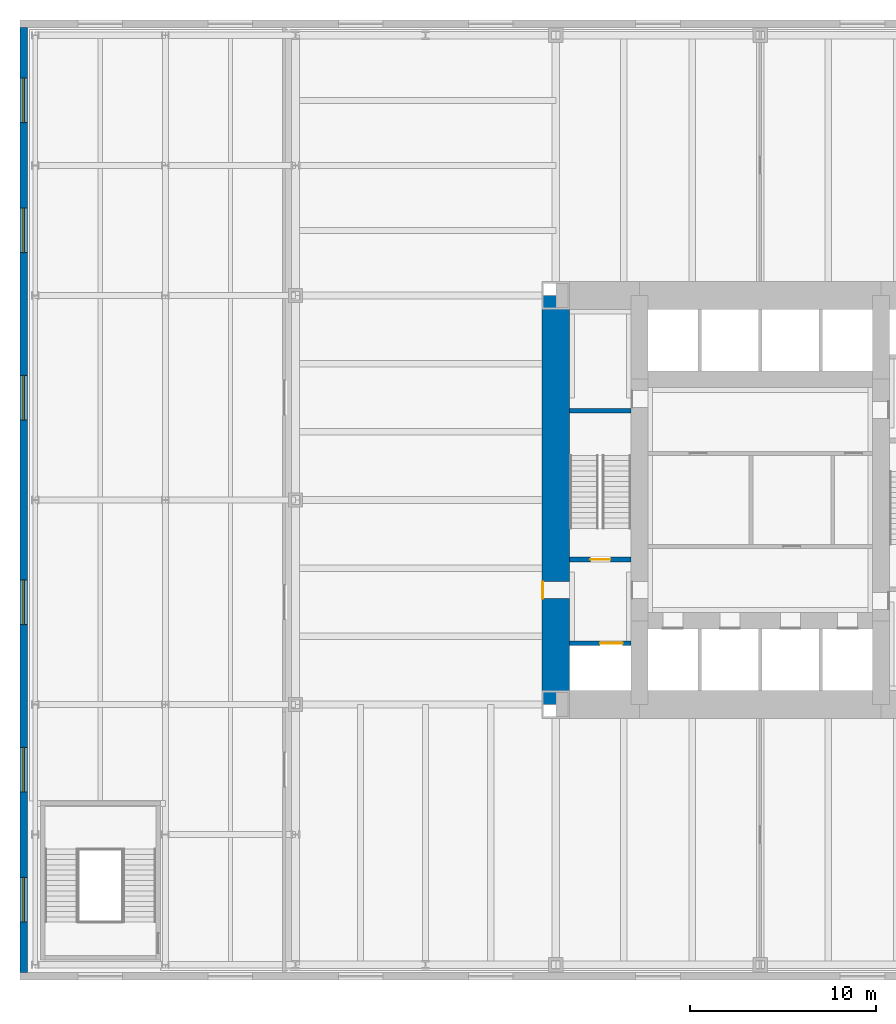
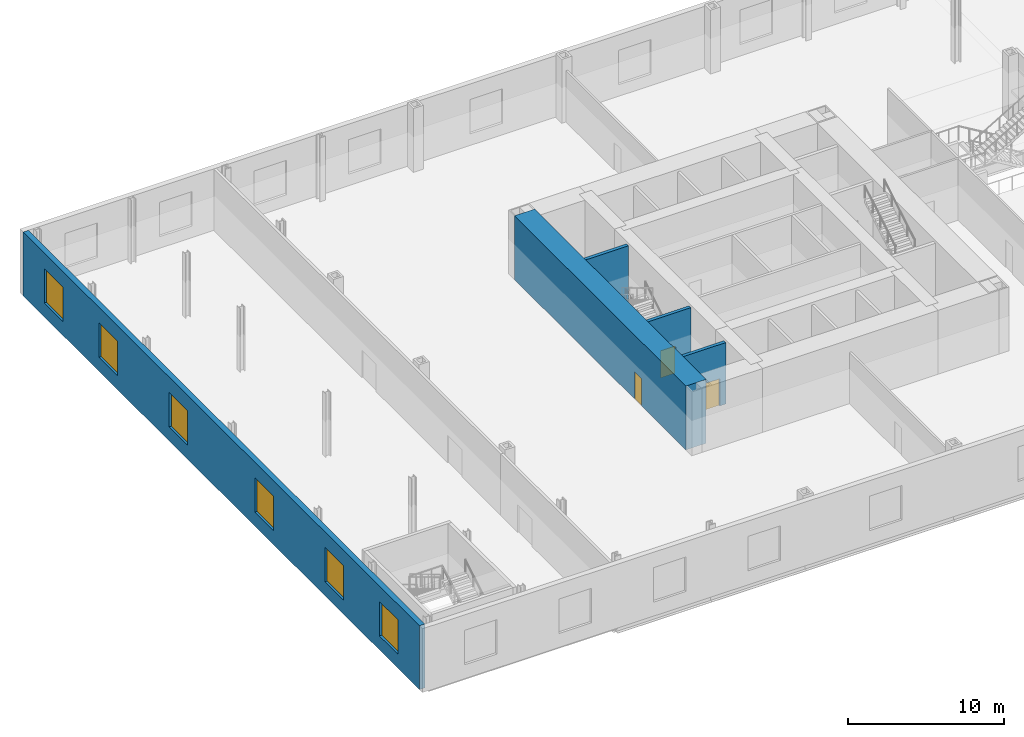
# One storey, part 7 of 13: 6 windows, 5 walls, 3 doors, 9 openings.
"""IFC4 building model written with IfcOpenShell, lengths in metres."""

from ifc_helpers import new_model, si_unit, direction, frame, frame_2d, origin, place, context, subcontext, project, spatial, rectangle, extrude, material, layer, layer_set, type_object, element, fill, save


model = new_model("IFC4")

# Units and contexts
model_context = context("Model", 3, precision=1e-05, world=origin(), true_north=direction((0.0, 1.0)))
body_context = subcontext(model_context, "Body", "Model", "MODEL_VIEW")
ifc_project = project(units=[si_unit("LENGTHUNIT", "METRE"), si_unit("AREAUNIT", "SQUARE_METRE"), si_unit("VOLUMEUNIT", "CUBIC_METRE"), si_unit("PLANEANGLEUNIT", "RADIAN"), si_unit("MASSUNIT", "GRAM", prefix="KILO")], contexts=[model_context])

# Site, building, storey
site_placement = place(None, origin())
site = spatial("IfcSite", under=ifc_project, at=site_placement, CompositionType="ELEMENT")
building_placement = place(site_placement, origin())
building = spatial("IfcBuilding", under=site, at=building_placement, Name="Trevanion Tower", CompositionType="ELEMENT")
storey_placement = place(building_placement, frame((0.0, 0.0, 6.0)))
storey = spatial("IfcBuildingStorey", under=building, at=storey_placement, Name="L01", CompositionType="ELEMENT", Elevation=6.0)

# Wall, opening, door
ifc_material_1 = material(Name="Concrete 10,000 psi", Category="concrete")
ifc_layer_1 = layer(ifc_material_1, 1.5)
ifc_layer_set_1 = layer_set([ifc_layer_1], Name="CW1 core wall 1500")
wall_type_1 = type_object("IfcWallType", Name="CW1 core wall 1500", PredefinedType="SHEAR", material=ifc_layer_set_1)
wall_1_placement = place(storey_placement, frame((-11.0, 11.0, 0.0), z_axis=(0.0, 0.0, 1.0), x_axis=(0.0, -1.0, 0.0)))
wall_1 = element("IfcWall", 1, at=wall_1_placement, inside=storey, type_object=wall_type_1, Name="CW1 CW L01", PredefinedType="SHEAR", context=body_context, shape_type="SweptSolid", body=[
    extrude(rectangle(XDim=22.0, YDim=1.5, at=frame_2d((11.0, 0.0))), origin(), (0.0, 0.0, 1.0), 5.0),
])
opening_1_placement = place(wall_1_placement, frame((15.392578125, 0.0, 0.0)))
opening_1 = element("IfcOpeningElement", 2, at=opening_1_placement, cuts=wall_1, Name="Opening 01-002", PredefinedType="OPENING", context=body_context, shape_type="SweptSolid", body=[
    extrude(rectangle(XDim=0.9150390625, YDim=2.134033203125, at=frame_2d((0.45751953125, 1.06689453125))), frame((0.0, 0.760009765625, 0.0), z_axis=(0.0, -1.0, 0.0), x_axis=(1.0, 0.0, 0.0)), (0.0, 0.0, 1.0), 1.52001953125),
])
ifc_material_2 = material(Name="Hollow metal, fire rated", Category="steel")
door_type_1 = type_object("IfcDoorType", Name="D3 fire lift lobby door", OperationType="SINGLE_SWING_RIGHT", PredefinedType="DOOR", material=ifc_material_2)
door_1_placement = place(opening_1_placement, origin())
door_1 = element("IfcDoor", 3, at=door_1_placement, inside=storey, type_object=door_type_1, Name="Door 01-002", OperationType="SINGLE_SWING_RIGHT", OverallHeight=2.134033203125, OverallWidth=0.9150390625, PredefinedType="DOOR", context=body_context, shape_type="SweptSolid", body=[
    extrude(rectangle(XDim=0.9150390625, YDim=2.134033203125, at=frame_2d((0.45751953125, 1.06689453125))), frame((0.0, -0.6748046875, 0.0), z_axis=(0.0, -1.0, 0.0), x_axis=(1.0, 0.0, 0.0)), (0.0, 0.0, 1.0), 0.050048828125),
])
fill(opening_1, door_1)

# Wall, openings, windows
ifc_material_3 = material(Name="Granite cladding on concrete masonry", Category="masonry")
ifc_layer_2 = layer(ifc_material_3, 0.39990234375)
ifc_layer_set_2 = layer_set([ifc_layer_2], Name="EW1 granite-faced wall 400")
wall_type_2 = type_object("IfcWallType", Name="EW1 granite-faced wall 400", PredefinedType="SOLIDWALL", material=ifc_layer_set_2)
wall_2_placement = place(storey_placement, frame((-39.6201171875, 25.419921875, -0.18994140625), z_axis=(0.0, 0.0, 1.0), x_axis=(0.0, -1.0, 0.0)))
wall_2 = element("IfcWall", 4, at=wall_2_placement, inside=storey, type_object=wall_type_2, Name="EW1 W L01", PredefinedType="SOLIDWALL", context=body_context, shape_type="SweptSolid", body=[
    extrude(rectangle(XDim=50.83984375, YDim=0.39990234375, at=frame_2d((25.419921875, 0.0))), origin(), (0.0, 0.0, 1.0), 5.0),
])
opening_2_placement = place(wall_2_placement, frame((45.719970703125, 0.0, 1.090087890625)))
opening_2 = element("IfcOpeningElement", 5, at=opening_2_placement, cuts=wall_2, Name="Opening WN2", PredefinedType="OPENING", context=body_context, shape_type="SweptSolid", body=[
    extrude(rectangle(XDim=2.39990234375, YDim=2.699951171875, at=frame_2d((1.199951171875, 1.35009765625))), frame((0.0, 0.2099609375, 0.0), z_axis=(0.0, -1.0, 0.0), x_axis=(1.0, 0.0, 0.0)), (0.0, 0.0, 1.0), 0.419921875),
])
opening_3_placement = place(wall_2_placement, frame((38.719970703125, 0.0, 1.090087890625)))
opening_3 = element("IfcOpeningElement", 6, at=opening_3_placement, cuts=wall_2, Name="Opening WN2", PredefinedType="OPENING", context=body_context, shape_type="SweptSolid", body=[
    extrude(rectangle(XDim=2.39990234375, YDim=2.699951171875, at=frame_2d((1.199951171875, 1.35009765625))), frame((0.0, 0.2099609375, 0.0), z_axis=(0.0, -1.0, 0.0), x_axis=(1.0, 0.0, 0.0)), (0.0, 0.0, 1.0), 0.419921875),
])
opening_4_placement = place(wall_2_placement, frame((29.719970703125, 0.0, 1.090087890625)))
opening_4 = element("IfcOpeningElement", 7, at=opening_4_placement, cuts=wall_2, Name="Opening WN2", PredefinedType="OPENING", context=body_context, shape_type="SweptSolid", body=[
    extrude(rectangle(XDim=2.39990234375, YDim=2.699951171875, at=frame_2d((1.199951171875, 1.35009765625))), frame((0.0, 0.2099609375, 0.0), z_axis=(0.0, -1.0, 0.0), x_axis=(1.0, 0.0, 0.0)), (0.0, 0.0, 1.0), 0.419921875),
])
opening_5_placement = place(wall_2_placement, frame((18.719970703125, 0.0, 1.090087890625)))
opening_5 = element("IfcOpeningElement", 8, at=opening_5_placement, cuts=wall_2, Name="Opening WN2", PredefinedType="OPENING", context=body_context, shape_type="SweptSolid", body=[
    extrude(rectangle(XDim=2.39990234375, YDim=2.699951171875, at=frame_2d((1.199951171875, 1.35009765625))), frame((0.0, 0.2099609375, 0.0), z_axis=(0.0, -1.0, 0.0), x_axis=(1.0, 0.0, 0.0)), (0.0, 0.0, 1.0), 0.419921875),
])
opening_6_placement = place(wall_2_placement, frame((9.719970703125, 0.0, 1.090087890625)))
opening_6 = element("IfcOpeningElement", 9, at=opening_6_placement, cuts=wall_2, Name="Opening WN2", PredefinedType="OPENING", context=body_context, shape_type="SweptSolid", body=[
    extrude(rectangle(XDim=2.39990234375, YDim=2.699951171875, at=frame_2d((1.199951171875, 1.35009765625))), frame((0.0, 0.2099609375, 0.0), z_axis=(0.0, -1.0, 0.0), x_axis=(1.0, 0.0, 0.0)), (0.0, 0.0, 1.0), 0.419921875),
])
opening_7_placement = place(wall_2_placement, frame((2.719970703125, 0.0, 1.090087890625)))
opening_7 = element("IfcOpeningElement", 10, at=opening_7_placement, cuts=wall_2, Name="Opening WN2", PredefinedType="OPENING", context=body_context, shape_type="SweptSolid", body=[
    extrude(rectangle(XDim=2.39990234375, YDim=2.699951171875, at=frame_2d((1.199951171875, 1.35009765625))), frame((0.0, 0.2099609375, 0.0), z_axis=(0.0, -1.0, 0.0), x_axis=(1.0, 0.0, 0.0)), (0.0, 0.0, 1.0), 0.419921875),
])
ifc_material_4 = material(Name="Bronze-finish aluminium frame, insulating glass", Category="aluminium")
window_type = type_object("IfcWindowType", Name="WN2 window 2400x2700", PartitioningType="SINGLE_PANEL", PredefinedType="WINDOW", material=ifc_material_4)
window_1_placement = place(opening_2_placement, origin())
window_1 = element("IfcWindow", 11, at=window_1_placement, inside=storey, type_object=window_type, Name="WN2 W L01", OverallHeight=2.699951171875, OverallWidth=2.39990234375, PartitioningType="SINGLE_PANEL", PredefinedType="WINDOW", context=body_context, shape_type="SweptSolid", body=[
    extrude(rectangle(XDim=2.39990234375, YDim=2.699951171875, at=frame_2d((1.199951171875, 1.35009765625))), frame((0.0, 0.030029296875, 0.0), z_axis=(0.0, -1.0, 0.0), x_axis=(1.0, 0.0, 0.0)), (0.0, 0.0, 1.0), 0.06005859375),
])
fill(opening_2, window_1)
window_2_placement = place(opening_3_placement, origin())
window_2 = element("IfcWindow", 12, at=window_2_placement, inside=storey, type_object=window_type, Name="WN2 W L01", OverallHeight=2.699951171875, OverallWidth=2.39990234375, PartitioningType="SINGLE_PANEL", PredefinedType="WINDOW", context=body_context, shape_type="SweptSolid", body=[
    extrude(rectangle(XDim=2.39990234375, YDim=2.699951171875, at=frame_2d((1.199951171875, 1.35009765625))), frame((0.0, 0.030029296875, 0.0), z_axis=(0.0, -1.0, 0.0), x_axis=(1.0, 0.0, 0.0)), (0.0, 0.0, 1.0), 0.06005859375),
])
fill(opening_3, window_2)
window_3_placement = place(opening_4_placement, origin())
window_3 = element("IfcWindow", 13, at=window_3_placement, inside=storey, type_object=window_type, Name="WN2 W L01", OverallHeight=2.699951171875, OverallWidth=2.39990234375, PartitioningType="SINGLE_PANEL", PredefinedType="WINDOW", context=body_context, shape_type="SweptSolid", body=[
    extrude(rectangle(XDim=2.39990234375, YDim=2.699951171875, at=frame_2d((1.199951171875, 1.35009765625))), frame((0.0, 0.030029296875, 0.0), z_axis=(0.0, -1.0, 0.0), x_axis=(1.0, 0.0, 0.0)), (0.0, 0.0, 1.0), 0.06005859375),
])
fill(opening_4, window_3)
window_4_placement = place(opening_5_placement, origin())
window_4 = element("IfcWindow", 14, at=window_4_placement, inside=storey, type_object=window_type, Name="WN2 W L01", OverallHeight=2.699951171875, OverallWidth=2.39990234375, PartitioningType="SINGLE_PANEL", PredefinedType="WINDOW", context=body_context, shape_type="SweptSolid", body=[
    extrude(rectangle(XDim=2.39990234375, YDim=2.699951171875, at=frame_2d((1.199951171875, 1.35009765625))), frame((0.0, 0.030029296875, 0.0), z_axis=(0.0, -1.0, 0.0), x_axis=(1.0, 0.0, 0.0)), (0.0, 0.0, 1.0), 0.06005859375),
])
fill(opening_5, window_4)
window_5_placement = place(opening_6_placement, origin())
window_5 = element("IfcWindow", 15, at=window_5_placement, inside=storey, type_object=window_type, Name="WN2 W L01", OverallHeight=2.699951171875, OverallWidth=2.39990234375, PartitioningType="SINGLE_PANEL", PredefinedType="WINDOW", context=body_context, shape_type="SweptSolid", body=[
    extrude(rectangle(XDim=2.39990234375, YDim=2.699951171875, at=frame_2d((1.199951171875, 1.35009765625))), frame((0.0, 0.030029296875, 0.0), z_axis=(0.0, -1.0, 0.0), x_axis=(1.0, 0.0, 0.0)), (0.0, 0.0, 1.0), 0.06005859375),
])
fill(opening_6, window_5)
window_6_placement = place(opening_7_placement, origin())
window_6 = element("IfcWindow", 16, at=window_6_placement, inside=storey, type_object=window_type, Name="WN2 W L01", OverallHeight=2.699951171875, OverallWidth=2.39990234375, PartitioningType="SINGLE_PANEL", PredefinedType="WINDOW", context=body_context, shape_type="SweptSolid", body=[
    extrude(rectangle(XDim=2.39990234375, YDim=2.699951171875, at=frame_2d((1.199951171875, 1.35009765625))), frame((0.0, 0.030029296875, 0.0), z_axis=(0.0, -1.0, 0.0), x_axis=(1.0, 0.0, 0.0)), (0.0, 0.0, 1.0), 0.06005859375),
])
fill(opening_7, window_6)

# Wall, opening, door
ifc_material_5 = material(Name="Concrete masonry, grouted, two-hour", Category="masonry")
ifc_layer_3 = layer(ifc_material_5, 0.25)
ifc_layer_set_3 = layer_set([ifc_layer_3], Name="PT3 partition 250 2 HR")
wall_type_3 = type_object("IfcWallType", Name="PT3 partition 250 2 HR", PredefinedType="PARTITIONING", material=ifc_layer_set_3)
wall_3_placement = place(storey_placement, frame((-6.949951171875, -7.699951171875, 0.0), z_axis=(0.0, 0.0, 1.0), x_axis=(-1.0, 0.0, 0.0)))
wall_3 = element("IfcWall", 17, at=wall_3_placement, inside=storey, type_object=wall_type_3, Name="PT3 L01 WP3", PredefinedType="PARTITIONING", context=body_context, shape_type="SweptSolid", body=[
    extrude(rectangle(XDim=3.300048828125, YDim=0.25, at=frame_2d((1.64990234375, 0.0))), origin(), (0.0, 0.0, 1.0), 4.81005859375),
])
opening_8_placement = place(wall_3_placement, frame((0.449951171875, 0.0, 0.0)))
opening_8 = element("IfcOpeningElement", 18, at=opening_8_placement, cuts=wall_3, Name="Opening 01-008", PredefinedType="OPENING", context=body_context, shape_type="SweptSolid", body=[
    extrude(rectangle(XDim=1.218994140625, YDim=2.134033203125, at=frame_2d((0.609375, 1.06689453125))), frame((0.0, 0.135009765625, 0.0), z_axis=(0.0, -1.0, 0.0), x_axis=(1.0, 0.0, 0.0)), (0.0, 0.0, 1.0), 0.27001953125),
])
ifc_material_6 = material(Name="Stainless steel, fire rated", Category="steel")
door_type_2 = type_object("IfcDoorType", Name="LD2 fire service lift landing door", OperationType="SLIDING_TO_LEFT", PredefinedType="DOOR", material=ifc_material_6)
door_2_placement = place(opening_8_placement, origin())
door_2 = element("IfcDoor", 19, at=door_2_placement, inside=storey, type_object=door_type_2, Name="Door 01-008", OperationType="SLIDING_TO_LEFT", OverallHeight=2.134033203125, OverallWidth=1.218994140625, PredefinedType="DOOR", context=body_context, shape_type="SweptSolid", body=[
    extrude(rectangle(XDim=1.218994140625, YDim=2.134033203125, at=frame_2d((0.609375, 1.06689453125))), frame((0.0, 0.02490234375, 0.0), z_axis=(0.0, -1.0, 0.0), x_axis=(1.0, 0.0, 0.0)), (0.0, 0.0, 1.0), 0.050048828125),
])
fill(opening_8, door_2)

# Wall
ifc_material_7 = material(Name="Reinforced masonry, fully grouted", Category="masonry")
ifc_layer_4 = layer(ifc_material_7, 0.25)
ifc_layer_set_4 = layer_set([ifc_layer_4], Name="SW1 stair shaft wall 250")
wall_type_4 = type_object("IfcWallType", Name="SW1 stair shaft wall 250", PredefinedType="SOLIDWALL", material=ifc_layer_set_4)
wall_4_placement = place(storey_placement, frame((-6.949951171875, 4.800048828125, 0.0), z_axis=(0.0, 0.0, 1.0), x_axis=(-1.0, 0.0, 0.0)))
element("IfcWall", 20, at=wall_4_placement, inside=storey, type_object=wall_type_4, Name="SW1 L01 WP1", PredefinedType="SOLIDWALL", context=body_context, shape_type="SweptSolid", body=[
    extrude(rectangle(XDim=3.300048828125, YDim=0.25, at=frame_2d((1.64990234375, 0.0))), origin(), (0.0, 0.0, 1.0), 4.81005859375),
])

# Wall, opening, door
wall_5_placement = place(storey_placement, frame((-6.949951171875, -3.199951171875, 0.0), z_axis=(0.0, 0.0, 1.0), x_axis=(-1.0, 0.0, 0.0)))
wall_5 = element("IfcWall", 21, at=wall_5_placement, inside=storey, type_object=wall_type_4, Name="SW1 L01 WP2", PredefinedType="SOLIDWALL", context=body_context, shape_type="SweptSolid", body=[
    extrude(rectangle(XDim=3.300048828125, YDim=0.25, at=frame_2d((1.64990234375, 0.0))), origin(), (0.0, 0.0, 1.0), 4.81005859375),
])
opening_9_placement = place(wall_5_placement, frame((1.116455078125, 0.0, 0.0)))
opening_9 = element("IfcOpeningElement", 22, at=opening_9_placement, cuts=wall_5, Name="Opening 01-006", PredefinedType="OPENING", context=body_context, shape_type="SweptSolid", body=[
    extrude(rectangle(XDim=1.06689453125, YDim=2.134033203125, at=frame_2d((0.533447265625, 1.06689453125))), frame((0.0, 0.135009765625, 0.0), z_axis=(0.0, -1.0, 0.0), x_axis=(1.0, 0.0, 0.0)), (0.0, 0.0, 1.0), 0.27001953125),
])
ifc_material_8 = material(Name="Hollow metal, fire rated", Category="steel")
door_type_3 = type_object("IfcDoorType", Name="D2 exit stair door", OperationType="SINGLE_SWING_LEFT", PredefinedType="DOOR", material=ifc_material_8)
door_3_placement = place(opening_9_placement, origin())
door_3 = element("IfcDoor", 23, at=door_3_placement, inside=storey, type_object=door_type_3, Name="Door 01-006", OperationType="SINGLE_SWING_LEFT", OverallHeight=2.134033203125, OverallWidth=1.06689453125, PredefinedType="DOOR", context=body_context, shape_type="SweptSolid", body=[
    extrude(rectangle(XDim=1.06689453125, YDim=2.134033203125, at=frame_2d((0.533447265625, 1.06689453125))), frame((0.0, 0.02490234375, 0.0), z_axis=(0.0, -1.0, 0.0), x_axis=(1.0, 0.0, 0.0)), (0.0, 0.0, 1.0), 0.050048828125),
])
fill(opening_9, door_3)

save(model, "model.ifc")
